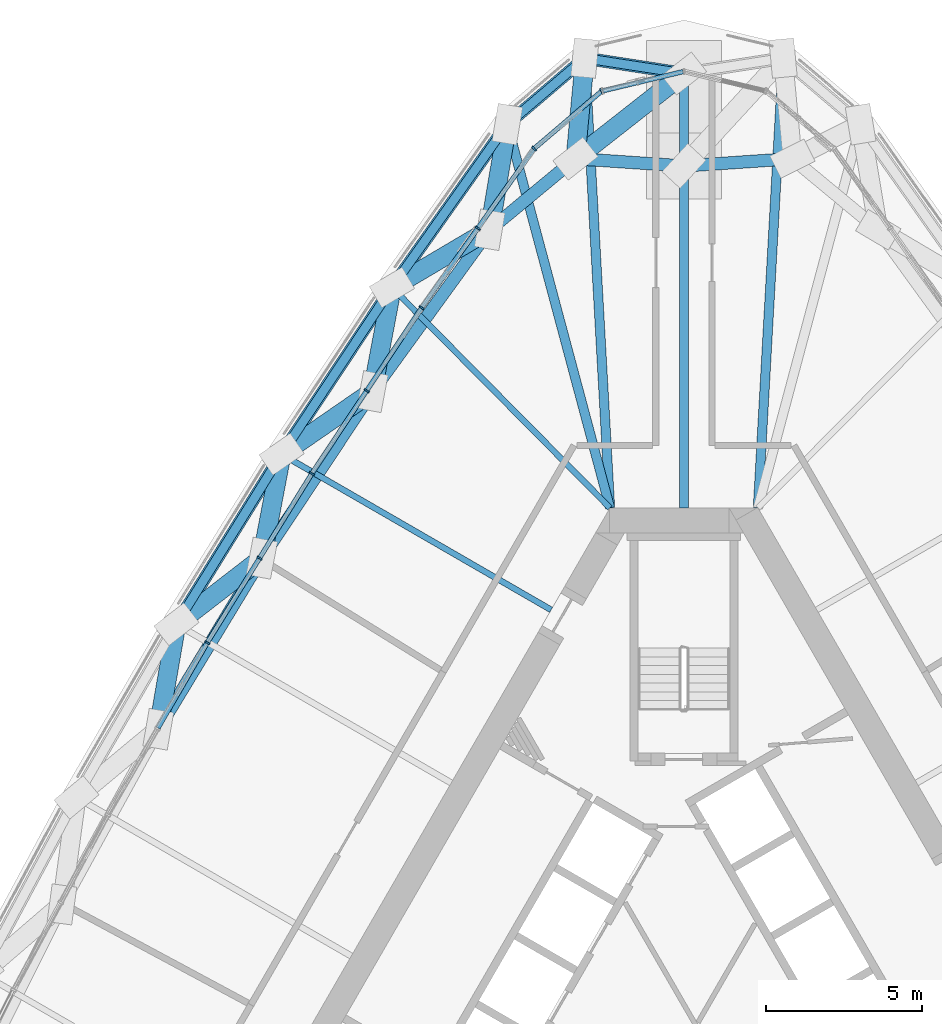
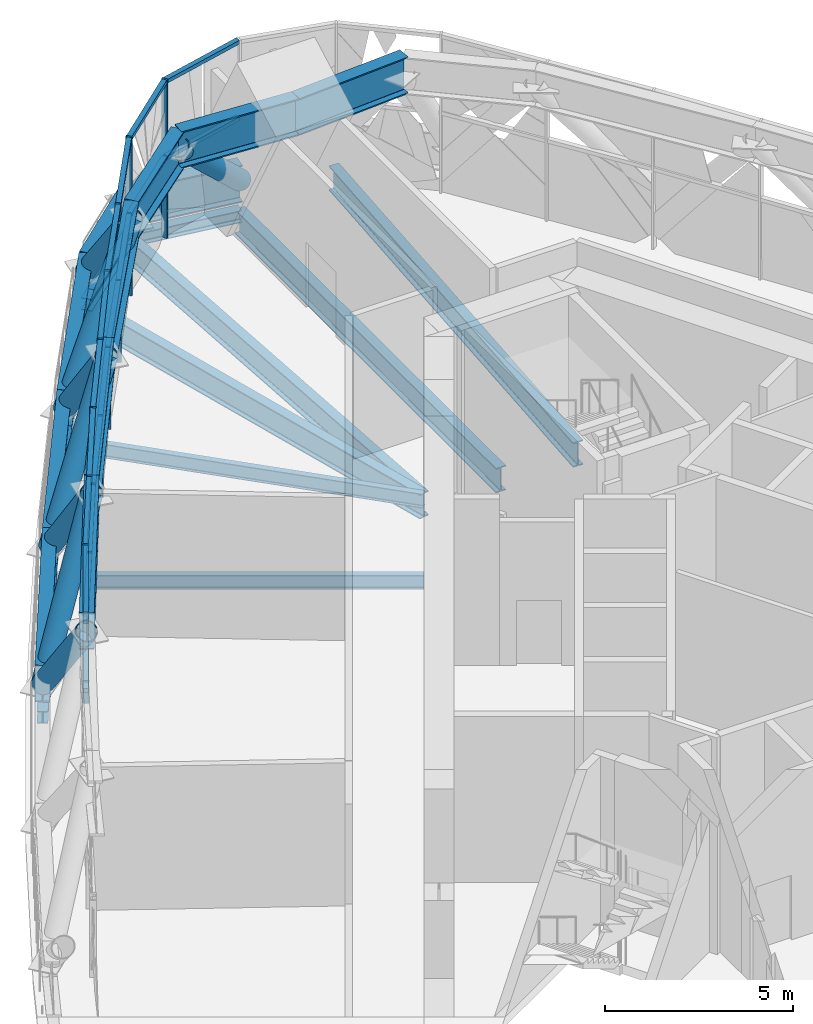
# One storey, part 8 of 35: 46 members, 11 beams, 2 elements without a shape of their own.
"""IFC4 building model written with IfcOpenShell, lengths in metres."""

from ifc_helpers import new_model, si_unit, direction, frame, origin, origin_2d, place, context, subcontext, project, spatial, rectangle, hollow_circle, i_section, extrude, material, material_profile, profile_set, type_object, element, aggregate, save


model = new_model("IFC4")

# Units and contexts
model_context = context("Model", 3, precision=1e-05, world=origin(), true_north=direction((0.0, 1.0)))
body_context = subcontext(model_context, "Body", "Model", "MODEL_VIEW")
ifc_project = project(units=[si_unit("LENGTHUNIT", "METRE"), si_unit("AREAUNIT", "SQUARE_METRE"), si_unit("VOLUMEUNIT", "CUBIC_METRE"), si_unit("PLANEANGLEUNIT", "RADIAN"), si_unit("MASSUNIT", "GRAM", prefix="KILO")], contexts=[model_context])

# Site, building, storey
site_placement = place(None, origin())
site = spatial("IfcSite", under=ifc_project, at=site_placement, CompositionType="ELEMENT")
building_placement = place(site_placement, origin())
building = spatial("IfcBuilding", under=site, at=building_placement, Name="Mestral Congress Tower", CompositionType="ELEMENT")
storey_placement = place(building_placement, frame((0.0, 0.0, 196.199951171875)))
storey = spatial("IfcBuildingStorey", under=building, at=storey_placement, Name="L46", CompositionType="ELEMENT", Elevation=196.199951171875)

# Members
ifc_material_1 = material(Name="Steel S355", Category="steel")
ifc_material_profile_1 = material_profile(ifc_material_1, i_section(OverallWidth=0.39990234375, OverallDepth=1.199951171875, WebThickness=0.02001953125, FlangeThickness=0.0400390625, FilletRadius=0.010009765625, at=origin_2d()), Name="WPG 1200")
ifc_profile_set_1 = profile_set([ifc_material_profile_1], Name="Steel S355")
member_type_1 = type_object("IfcMemberType", Name="Belt chord WPG 1200 S355", PredefinedType="CHORD", material=ifc_profile_set_1)
member_1_placement = place(storey_placement, frame((0.0, 30.7041015625, 0.60009765625), z_axis=(-0.98825089414, 0.152840342289, 0.0), x_axis=(-0.152840342289, -0.98825089414, 0.0)))
element("IfcMember", 1, at=member_1_placement, inside=storey, type_object=member_type_1, Name="MB-L46-BC3-N", PredefinedType="CHORD", context=body_context, shape_type="SweptSolid", body=[
    extrude(i_section(OverallWidth=0.39990234375, OverallDepth=1.199951171875, WebThickness=0.02001953125, FlangeThickness=0.0400390625, FilletRadius=0.010009765625, at=origin_2d()), origin(), (0.0, 0.0, 1.0), 3.208984375),
])
member_2_placement = place(storey_placement, frame((-3.17138671875, 31.194580078125, 0.60009765625), z_axis=(-0.761440312553, -0.648235027147, 0.0), x_axis=(0.648235027147, -0.761440312553, 0.0)))
element("IfcMember", 2, at=member_2_placement, inside=storey, type_object=member_type_1, Name="MB-L46-BC3-N3", PredefinedType="CHORD", context=body_context, shape_type="SweptSolid", body=[
    extrude(i_section(OverallWidth=0.39990234375, OverallDepth=1.199951171875, WebThickness=0.02001953125, FlangeThickness=0.0400390625, FilletRadius=0.010009765625, at=origin_2d()), origin(), (0.0, 0.0, 1.0), 3.2607421875),
])
for number, where, z_axis, x_axis, name in (
    (3, (-5.654296875, 29.080810546875, 0.60009765625), (-0.577102484984, -0.816671734435, 0.0), (0.816671734435, -0.577102484984, 0.0), "MB-L46-BC3-W00"),
    (4, (-9.34765625, 23.854248046875, 0.60009765625), (-0.551915276836, -0.833900190188, 0.0), (0.833900190188, -0.551915276836, 0.0), "MB-L46-BC3-W01"),
):
    element("IfcMember", number, at=place(storey_placement, frame(where, z_axis=z_axis, x_axis=x_axis)), inside=storey, type_object=member_type_1, Name=name, PredefinedType="CHORD", context=body_context, shape_type="SweptSolid", body=[
        extrude(i_section(OverallWidth=0.39990234375, OverallDepth=1.199951171875, WebThickness=0.02001953125, FlangeThickness=0.0400390625, FilletRadius=0.010009765625, at=origin_2d()), origin(), (0.0, 0.0, 1.0), 6.39990234375),
    ])
member_3_placement = place(storey_placement, frame((-12.8798828125, 18.517333984375, 0.60009765625), z_axis=(-0.52618387331, -0.850370819977, 0.0), x_axis=(0.850370819977, -0.52618387331, 0.0)))
element("IfcMember", 5, at=member_3_placement, inside=storey, type_object=member_type_1, Name="MB-L46-BC3-W02", PredefinedType="CHORD", context=body_context, shape_type="SweptSolid", body=[
    extrude(i_section(OverallWidth=0.39990234375, OverallDepth=1.199951171875, WebThickness=0.02001953125, FlangeThickness=0.0400390625, FilletRadius=0.010009765625, at=origin_2d()), origin(), (0.0, 0.0, 1.0), 6.399658203125),
])
for number, where, z_axis, x_axis, name in (
    (6, (3.47216796875, 27.97900390625, 4.550048828125), (-0.997724843222, -0.067417632846, 0.0), (0.067417632846, -0.997724843222, 0.0), "MB-L46-TC3-N1"),
    (7, (0.0, 27.744384765625, 4.550048828125), (-0.997724843222, 0.067417632846, 0.0), (-0.067417632846, -0.997724843222, 0.0), "MB-L46-TC3-N"),
):
    element("IfcMember", number, at=place(storey_placement, frame(where, z_axis=z_axis, x_axis=x_axis)), inside=storey, type_object=member_type_1, Name=name, PredefinedType="CHORD", context=body_context, shape_type="SweptSolid", body=[
        extrude(i_section(OverallWidth=0.39990234375, OverallDepth=1.199951171875, WebThickness=0.02001953125, FlangeThickness=0.0400390625, FilletRadius=0.010009765625, at=origin_2d()), origin(), (0.0, 0.0, 1.0), 3.47998046875),
    ])
member_4_placement = place(storey_placement, frame((-3.47216796875, 27.97900390625, 4.550048828125), z_axis=(-0.769974479924, -0.638074682358, 0.0), x_axis=(0.638074682358, -0.769974479924, 0.0)))
element("IfcMember", 8, at=member_4_placement, inside=storey, type_object=member_type_1, Name="MB-L46-TC3-N3", PredefinedType="CHORD", context=body_context, shape_type="SweptSolid", body=[
    extrude(i_section(OverallWidth=0.39990234375, OverallDepth=1.199951171875, WebThickness=0.02001953125, FlangeThickness=0.0400390625, FilletRadius=0.010009765625, at=origin_2d()), origin(), (0.0, 0.0, 1.0), 3.56689453125),
])
for number, where, z_axis, x_axis, name in (
    (9, (-6.218505859375, 25.703125, 4.550048828125), (-0.58698695142, -0.80959639257, 0.0), (0.80959639257, -0.58698695142, 0.0), "MB-L46-TC3-W00"),
    (10, (-9.974853515625, 20.522216796875, 4.550048828125), (-0.552911723663, -0.833239836923, 0.0), (0.833239836923, -0.552911723663, 0.0), "MB-L46-TC3-W01"),
):
    element("IfcMember", number, at=place(storey_placement, frame(where, z_axis=z_axis, x_axis=x_axis)), inside=storey, type_object=member_type_1, Name=name, PredefinedType="CHORD", context=body_context, shape_type="SweptSolid", body=[
        extrude(i_section(OverallWidth=0.39990234375, OverallDepth=1.199951171875, WebThickness=0.02001953125, FlangeThickness=0.0400390625, FilletRadius=0.010009765625, at=origin_2d()), origin(), (0.0, 0.0, 1.0), 6.3994140625),
    ])
member_5_placement = place(storey_placement, frame((-13.51318359375, 15.18994140625, 4.550048828125), z_axis=(-0.517874683363, -0.855456493535, 0.0), x_axis=(0.855456493535, -0.517874683363, 0.0)))
element("IfcMember", 11, at=member_5_placement, inside=storey, type_object=member_type_1, Name="MB-L46-TC3-W02", PredefinedType="CHORD", context=body_context, shape_type="SweptSolid", body=[
    extrude(i_section(OverallWidth=0.39990234375, OverallDepth=1.199951171875, WebThickness=0.02001953125, FlangeThickness=0.0400390625, FilletRadius=0.010009765625, at=origin_2d()), origin(), (0.0, 0.0, 1.0), 6.399658203125),
])
ifc_material_profile_2 = material_profile(ifc_material_1, hollow_circle(Radius=0.304931640625, WallThickness=0.02490234375, at=origin_2d()), Name="CHS 610x25")
ifc_profile_set_2 = profile_set([ifc_material_profile_2], Name="Steel S355")
member_type_2 = type_object("IfcMemberType", Name="Belt diagonal CHS 610x25 S355", PredefinedType="BRACE", material=ifc_profile_set_2)
member_6_placement = place(storey_placement, frame((0.0, 30.7041015625, 0.60009765625), z_axis=(-0.586198633565, -0.460072363089, 0.666861741839), x_axis=(0.617396411585, -0.786652191862, 0.0)))
element("IfcMember", 12, at=member_6_placement, inside=storey, type_object=member_type_2, Name="MD-L46-BD3-N.N3", PredefinedType="BRACE", context=body_context, shape_type="SweptSolid", body=[
    extrude(hollow_circle(Radius=0.304931640625, WallThickness=0.02490234375, at=origin_2d()), origin(), (0.0, 0.0, 1.0), 5.923095703125),
])
member_7_placement = place(storey_placement, frame((-3.17138671875, 31.194580078125, 0.60009765625), z_axis=(-0.05895120771, -0.630232432421, 0.774165251244), x_axis=(0.995653743164, -0.093132291518, 0.0)))
element("IfcMember", 13, at=member_7_placement, inside=storey, type_object=member_type_2, Name="MD-L46-BD3-N3.N3", PredefinedType="BRACE", context=body_context, shape_type="SweptSolid", body=[
    extrude(hollow_circle(Radius=0.304931640625, WallThickness=0.02490234375, at=origin_2d()), origin(), (0.0, 0.0, 1.0), 5.102294921875),
])
member_8_placement = place(storey_placement, frame((-5.654296875, 29.080810546875, 0.60009765625), z_axis=(-0.107926102258, -0.646108881326, 0.755576117888), x_axis=(0.986334127026, -0.164757366647, 0.0)))
element("IfcMember", 14, at=member_8_placement, inside=storey, type_object=member_type_2, Name="MD-L46-BD3-W00.W00", PredefinedType="BRACE", context=body_context, shape_type="SweptSolid", body=[
    extrude(hollow_circle(Radius=0.304931640625, WallThickness=0.02490234375, at=origin_2d()), origin(), (0.0, 0.0, 1.0), 5.227783203125),
])
member_9_placement = place(storey_placement, frame((-9.34765625, 23.854248046875, 0.60009765625), z_axis=(0.582960882048, 0.34444587343, 0.735876110686), x_axis=(-0.508695365577, 0.860946586636, 0.0)))
element("IfcMember", 15, at=member_9_placement, inside=storey, type_object=member_type_2, Name="MD-L46-BD3-W01.W00", PredefinedType="BRACE", context=body_context, shape_type="SweptSolid", body=[
    extrude(hollow_circle(Radius=0.304931640625, WallThickness=0.02490234375, at=origin_2d()), origin(), (0.0, 0.0, 1.0), 5.36767578125),
])
member_10_placement = place(storey_placement, frame((-9.34765625, 23.854248046875, 0.60009765625), z_axis=(-0.12048588021, -0.640090032351, 0.758793715812), x_axis=(0.98274151434, -0.184984096596, 0.0)))
element("IfcMember", 16, at=member_10_placement, inside=storey, type_object=member_type_2, Name="MD-L46-BD3-W01.W01", PredefinedType="BRACE", context=body_context, shape_type="SweptSolid", body=[
    extrude(hollow_circle(Radius=0.304931640625, WallThickness=0.02490234375, at=origin_2d()), origin(), (0.0, 0.0, 1.0), 5.20556640625),
])
member_11_placement = place(storey_placement, frame((-12.8798828125, 18.517333984375, 0.60009765625), z_axis=(0.54840321568, 0.378476107838, 0.745660612362), x_axis=(-0.568004467728, 0.823025470226, 0.0)))
element("IfcMember", 17, at=member_11_placement, inside=storey, type_object=member_type_2, Name="MD-L46-BD3-W02.W01", PredefinedType="BRACE", context=body_context, shape_type="SweptSolid", body=[
    extrude(hollow_circle(Radius=0.304931640625, WallThickness=0.02490234375, at=origin_2d()), origin(), (0.0, 0.0, 1.0), 5.29736328125),
])
member_12_placement = place(storey_placement, frame((-12.8798828125, 18.517333984375, 0.60009765625), z_axis=(-0.121710484885, -0.639472705664, 0.759118710466), x_axis=(0.982365053895, -0.18697299507, 0.0)))
element("IfcMember", 18, at=member_12_placement, inside=storey, type_object=member_type_2, Name="MD-L46-BD3-W02.W02", PredefinedType="BRACE", context=body_context, shape_type="SweptSolid", body=[
    extrude(hollow_circle(Radius=0.304931640625, WallThickness=0.02490234375, at=origin_2d()), origin(), (0.0, 0.0, 1.0), 5.203369140625),
])
member_13_placement = place(storey_placement, frame((-16.247314453125, 13.0751953125, 0.60009765625), z_axis=(0.52090745051, 0.402902074856, 0.752545909616), x_axis=(-0.611811285335, 0.791003761772, 0.0)))
element("IfcMember", 19, at=member_13_placement, inside=storey, type_object=member_type_2, Name="MD-L46-BD3-W03.W02", PredefinedType="BRACE", context=body_context, shape_type="SweptSolid", body=[
    extrude(hollow_circle(Radius=0.304931640625, WallThickness=0.02490234375, at=origin_2d()), origin(), (0.0, 0.0, 1.0), 5.248779296875),
])
member_14_placement = place(storey_placement, frame((-16.247314453125, 13.0751953125, 0.60009765625), z_axis=(-0.111169156495, -0.643901486397, 0.756988965878), x_axis=(0.985421228399, -0.170132309161, 0.0)))
element("IfcMember", 20, at=member_14_placement, inside=storey, type_object=member_type_2, Name="MD-L46-BD3-W03.W03", PredefinedType="BRACE", context=body_context, shape_type="SweptSolid", body=[
    extrude(hollow_circle(Radius=0.304931640625, WallThickness=0.02490234375, at=origin_2d()), origin(), (0.0, 0.0, 1.0), 5.218017578125),
])

# Curtain wall, members
ifc_material_2 = material(Name="Clear low-emissivity double glazing", Category="glass")
curtain_wall_type = type_object("IfcCurtainWallType", Name="Facade refuge band screen", PredefinedType="USERDEFINED", material=ifc_material_2)
placement = place(storey_placement, origin())
curtain_wall_1 = element("IfcCurtainWall", 21, at=placement, inside=storey, type_object=curtain_wall_type, Name="Facade refuge band screen face 3", ObjectType="CURTAIN WALL", PredefinedType="USERDEFINED")
ifc_material_3 = material(Name="Anodised aluminium", Category="aluminium")
ifc_material_profile_3 = material_profile(ifc_material_3, rectangle(XDim=0.179931640625, YDim=0.06005859375, at=origin_2d()), Name="CW3 mullion 180 x 60")
ifc_profile_set_3 = profile_set([ifc_material_profile_3], Name="Anodised aluminium")
member_type_3 = type_object("IfcMemberType", Name="Facade refuge band screen mullion", PredefinedType="MULLION", material=ifc_profile_set_3)
member_15_placement = place(storey_placement, frame((-6.5986328125, 25.751708984375, 0.0), z_axis=(0.0, 0.0, 1.0), x_axis=(-0.816673787756, 0.577099579268, 0.0)))
member_15 = element("IfcMember", 22, at=member_15_placement, type_object=member_type_3, Name="Facade refuge band screen mullion", PredefinedType="MULLION", context=body_context, shape_type="SweptSolid", body=[
    extrude(rectangle(XDim=0.179931640625, YDim=0.06005859375, at=origin_2d()), origin(), (0.0, 0.0, 1.0), 5.150146484375),
])
member_16_placement = place(storey_placement, frame((-8.3984375, 23.204833984375, 0.0), z_axis=(0.0, 0.0, 1.0), x_axis=(-0.825386538643, 0.564568031177, 0.0)))
member_16 = element("IfcMember", 23, at=member_16_placement, type_object=member_type_3, Name="Facade refuge band screen mullion", PredefinedType="MULLION", context=body_context, shape_type="SweptSolid", body=[
    extrude(rectangle(XDim=0.179931640625, YDim=0.06005859375, at=origin_2d()), origin(), (0.0, 0.0, 1.0), 5.150146484375),
])
member_17_placement = place(storey_placement, frame((-10.15478515625, 20.551025390625, 0.0), z_axis=(0.0, 0.0, 1.0), x_axis=(-0.833906051054, 0.55190642143, 0.0)))
member_17 = element("IfcMember", 24, at=member_17_placement, type_object=member_type_3, Name="Facade refuge band screen mullion", PredefinedType="MULLION", context=body_context, shape_type="SweptSolid", body=[
    extrude(rectangle(XDim=0.179931640625, YDim=0.06005859375, at=origin_2d()), origin(), (0.0, 0.0, 1.0), 5.150146484375),
])
member_18_placement = place(storey_placement, frame((-11.9111328125, 17.897216796875, 0.0), z_axis=(0.0, 0.0, 1.0), x_axis=(-0.84223228897, 0.539114803559, 0.0)))
member_18 = element("IfcMember", 25, at=member_18_placement, type_object=member_type_3, Name="Facade refuge band screen mullion", PredefinedType="MULLION", context=body_context, shape_type="SweptSolid", body=[
    extrude(rectangle(XDim=0.179931640625, YDim=0.06005859375, at=origin_2d()), origin(), (0.0, 0.0, 1.0), 5.150146484375),
])
member_19_placement = place(storey_placement, frame((-13.585693359375, 15.191162109375, 0.0), z_axis=(0.0, 0.0, 1.0), x_axis=(-0.850362327421, 0.526197597964, 0.0)))
member_19 = element("IfcMember", 26, at=member_19_placement, type_object=member_type_3, Name="Facade refuge band screen mullion", PredefinedType="MULLION", context=body_context, shape_type="SweptSolid", body=[
    extrude(rectangle(XDim=0.179931640625, YDim=0.06005859375, at=origin_2d()), origin(), (0.0, 0.0, 1.0), 5.150146484375),
])
member_20_placement = place(storey_placement, frame((-15.260009765625, 12.485107421875, 0.0), z_axis=(0.0, 0.0, 1.0), x_axis=(-0.85829337687, 0.513159311736, 0.0)))
member_20 = element("IfcMember", 27, at=member_20_placement, type_object=member_type_3, Name="Facade refuge band screen mullion", PredefinedType="MULLION", context=body_context, shape_type="SweptSolid", body=[
    extrude(rectangle(XDim=0.179931640625, YDim=0.06005859375, at=origin_2d()), origin(), (0.0, 0.0, 1.0), 5.150146484375),
])

curtain_wall_2 = element("IfcCurtainWall", 28, at=placement, inside=storey, type_object=curtain_wall_type, Name="Facade refuge band screen corner 2", ObjectType="CURTAIN WALL", PredefinedType="USERDEFINED")
member_21_placement = place(storey_placement, frame((-2.635498046875, 30.140380859375, 0.0), z_axis=(0.0, 0.0, 1.0), x_axis=(-0.453047855535, 0.891486197647, 0.0)))
member_21 = element("IfcMember", 29, at=member_21_placement, type_object=member_type_3, Name="Facade refuge band screen mullion", PredefinedType="MULLION", context=body_context, shape_type="SweptSolid", body=[
    extrude(rectangle(XDim=0.179931640625, YDim=0.06005859375, at=origin_2d()), origin(), (0.0, 0.0, 1.0), 5.150146484375),
])
member_22_placement = place(storey_placement, frame((-4.798583984375, 28.298828125, 0.0), z_axis=(0.0, 0.0, 1.0), x_axis=(-0.648240844181, 0.761435360314, 0.0)))
member_22 = element("IfcMember", 30, at=member_22_placement, type_object=member_type_3, Name="Facade refuge band screen mullion", PredefinedType="MULLION", context=body_context, shape_type="SweptSolid", body=[
    extrude(rectangle(XDim=0.179931640625, YDim=0.06005859375, at=origin_2d()), origin(), (0.0, 0.0, 1.0), 5.150146484375),
])

# Member
ifc_material_profile_4 = material_profile(ifc_material_3, rectangle(XDim=0.14990234375, YDim=0.1201171875, at=origin_2d()), Name="CW3 transom 150 x 120")
ifc_profile_set_4 = profile_set([ifc_material_profile_4], Name="Anodised aluminium")
member_type_4 = type_object("IfcMemberType", Name="Facade refuge band screen transom", PredefinedType="USERDEFINED", material=ifc_profile_set_4)
member_23_placement = place(storey_placement, frame((-4.81591796875, 28.2744140625, 2.60009765625), z_axis=(-0.577131209117, -0.81665143572, 0.0), x_axis=(0.81665143572, -0.577131209117, 0.0)))
member_23 = element("IfcMember", 31, at=member_23_placement, type_object=member_type_4, Name="Facade refuge band screen transom", ObjectType="TRANSOM", PredefinedType="USERDEFINED", context=body_context, shape_type="SweptSolid", body=[
    extrude(rectangle(XDim=0.14990234375, YDim=0.1201171875, at=origin_2d()), origin(), (0.0, 0.0, 1.0), 3.058837890625),
])

member_24_placement = place(storey_placement, frame((-4.81591796875, 28.2744140625, 5.090087890625), z_axis=(-0.577131209117, -0.81665143572, 0.0), x_axis=(0.81665143572, -0.577131209117, 0.0)))
member_24 = element("IfcMember", 32, at=member_24_placement, type_object=member_type_4, Name="Facade refuge band screen transom", ObjectType="TRANSOM", PredefinedType="USERDEFINED", context=body_context, shape_type="SweptSolid", body=[
    extrude(rectangle(XDim=0.14990234375, YDim=0.1201171875, at=origin_2d()), origin(), (0.0, 0.0, 1.0), 3.058837890625),
])

member_25_placement = place(storey_placement, frame((-6.615966796875, 25.727294921875, 2.60009765625), z_axis=(-0.577077976274, -0.816689053006, 0.0), x_axis=(0.816689053006, -0.577077976274, 0.0)))
member_25 = element("IfcMember", 33, at=member_25_placement, type_object=member_type_4, Name="Facade refuge band screen transom", ObjectType="TRANSOM", PredefinedType="USERDEFINED", context=body_context, shape_type="SweptSolid", body=[
    extrude(rectangle(XDim=0.14990234375, YDim=0.1201171875, at=origin_2d()), origin(), (0.0, 0.0, 1.0), 3.058837890625),
])

member_26_placement = place(storey_placement, frame((-6.615966796875, 25.727294921875, 5.090087890625), z_axis=(-0.577077976274, -0.816689053006, 0.0), x_axis=(0.816689053006, -0.577077976274, 0.0)))
member_26 = element("IfcMember", 34, at=member_26_placement, type_object=member_type_4, Name="Facade refuge band screen transom", ObjectType="TRANSOM", PredefinedType="USERDEFINED", context=body_context, shape_type="SweptSolid", body=[
    extrude(rectangle(XDim=0.14990234375, YDim=0.1201171875, at=origin_2d()), origin(), (0.0, 0.0, 1.0), 3.058837890625),
])

member_27_placement = place(storey_placement, frame((-8.414794921875, 23.1796875, 2.60009765625), z_axis=(-0.551972456756, -0.833862342945, 0.0), x_axis=(0.833862342945, -0.551972456756, 0.0)))
member_27 = element("IfcMember", 35, at=member_27_placement, type_object=member_type_4, Name="Facade refuge band screen transom", ObjectType="TRANSOM", PredefinedType="USERDEFINED", context=body_context, shape_type="SweptSolid", body=[
    extrude(rectangle(XDim=0.14990234375, YDim=0.1201171875, at=origin_2d()), origin(), (0.0, 0.0, 1.0), 3.122314453125),
])

member_28_placement = place(storey_placement, frame((-8.414794921875, 23.1796875, 5.090087890625), z_axis=(-0.551972456756, -0.833862342945, 0.0), x_axis=(0.833862342945, -0.551972456756, 0.0)))
member_28 = element("IfcMember", 36, at=member_28_placement, type_object=member_type_4, Name="Facade refuge band screen transom", ObjectType="TRANSOM", PredefinedType="USERDEFINED", context=body_context, shape_type="SweptSolid", body=[
    extrude(rectangle(XDim=0.14990234375, YDim=0.1201171875, at=origin_2d()), origin(), (0.0, 0.0, 1.0), 3.122314453125),
])

member_29_placement = place(storey_placement, frame((-10.17138671875, 20.526123046875, 2.60009765625), z_axis=(-0.551882094712, -0.833922150765, 0.0), x_axis=(0.833922150765, -0.551882094712, 0.0)))
member_29 = element("IfcMember", 37, at=member_29_placement, type_object=member_type_4, Name="Facade refuge band screen transom", ObjectType="TRANSOM", PredefinedType="USERDEFINED", context=body_context, shape_type="SweptSolid", body=[
    extrude(rectangle(XDim=0.14990234375, YDim=0.1201171875, at=origin_2d()), origin(), (0.0, 0.0, 1.0), 3.122314453125),
])

member_30_placement = place(storey_placement, frame((-10.17138671875, 20.526123046875, 5.090087890625), z_axis=(-0.551882094712, -0.833922150765, 0.0), x_axis=(0.833922150765, -0.551882094712, 0.0)))
member_30 = element("IfcMember", 38, at=member_30_placement, type_object=member_type_4, Name="Facade refuge band screen transom", ObjectType="TRANSOM", PredefinedType="USERDEFINED", context=body_context, shape_type="SweptSolid", body=[
    extrude(rectangle(XDim=0.14990234375, YDim=0.1201171875, at=origin_2d()), origin(), (0.0, 0.0, 1.0), 3.122314453125),
])

member_31_placement = place(storey_placement, frame((-11.927001953125, 17.871826171875, 2.60009765625), z_axis=(-0.526176932892, -0.85037511446, 0.0), x_axis=(0.85037511446, -0.526176932892, 0.0)))
member_31 = element("IfcMember", 39, at=member_31_placement, type_object=member_type_4, Name="Facade refuge band screen transom", ObjectType="TRANSOM", PredefinedType="USERDEFINED", context=body_context, shape_type="SweptSolid", body=[
    extrude(rectangle(XDim=0.14990234375, YDim=0.1201171875, at=origin_2d()), origin(), (0.0, 0.0, 1.0), 3.1220703125),
])

member_32_placement = place(storey_placement, frame((-11.927001953125, 17.871826171875, 5.090087890625), z_axis=(-0.526176932892, -0.85037511446, 0.0), x_axis=(0.85037511446, -0.526176932892, 0.0)))
member_32 = element("IfcMember", 40, at=member_32_placement, type_object=member_type_4, Name="Facade refuge band screen transom", ObjectType="TRANSOM", PredefinedType="USERDEFINED", context=body_context, shape_type="SweptSolid", body=[
    extrude(rectangle(XDim=0.14990234375, YDim=0.1201171875, at=origin_2d()), origin(), (0.0, 0.0, 1.0), 3.1220703125),
])

member_33_placement = place(storey_placement, frame((-13.601318359375, 15.165771484375, 2.60009765625), z_axis=(-0.526198488101, -0.85036177661, 0.0), x_axis=(0.85036177661, -0.526198488101, 0.0)))
member_33 = element("IfcMember", 41, at=member_33_placement, type_object=member_type_4, Name="Facade refuge band screen transom", ObjectType="TRANSOM", PredefinedType="USERDEFINED", context=body_context, shape_type="SweptSolid", body=[
    extrude(rectangle(XDim=0.14990234375, YDim=0.1201171875, at=origin_2d()), origin(), (0.0, 0.0, 1.0), 3.12255859375),
])

member_34_placement = place(storey_placement, frame((-13.601318359375, 15.165771484375, 5.090087890625), z_axis=(-0.526198488101, -0.85036177661, 0.0), x_axis=(0.85036177661, -0.526198488101, 0.0)))
member_34 = element("IfcMember", 42, at=member_34_placement, type_object=member_type_4, Name="Facade refuge band screen transom", ObjectType="TRANSOM", PredefinedType="USERDEFINED", context=body_context, shape_type="SweptSolid", body=[
    extrude(rectangle(XDim=0.14990234375, YDim=0.1201171875, at=origin_2d()), origin(), (0.0, 0.0, 1.0), 3.12255859375),
])

member_35_placement = place(storey_placement, frame((-15.275146484375, 12.458984375, 2.60009765625), z_axis=(-0.499990954667, -0.866030626047, 0.0), x_axis=(0.866030626047, -0.499990954667, 0.0)))
member_35 = element("IfcMember", 43, at=member_35_placement, type_object=member_type_4, Name="Facade refuge band screen transom", ObjectType="TRANSOM", PredefinedType="USERDEFINED", context=body_context, shape_type="SweptSolid", body=[
    extrude(rectangle(XDim=0.14990234375, YDim=0.1201171875, at=origin_2d()), origin(), (0.0, 0.0, 1.0), 3.1220703125),
])

member_36_placement = place(storey_placement, frame((-15.275146484375, 12.458984375, 5.090087890625), z_axis=(-0.499990954667, -0.866030626047, 0.0), x_axis=(0.866030626047, -0.499990954667, 0.0)))
member_36 = element("IfcMember", 44, at=member_36_placement, type_object=member_type_4, Name="Facade refuge band screen transom", ObjectType="TRANSOM", PredefinedType="USERDEFINED", context=body_context, shape_type="SweptSolid", body=[
    extrude(rectangle(XDim=0.14990234375, YDim=0.1201171875, at=origin_2d()), origin(), (0.0, 0.0, 1.0), 3.1220703125),
])

aggregate(curtain_wall_1, [member_15, member_16, member_17, member_18, member_19, member_20, member_23, member_24, member_25, member_26, member_27, member_28, member_29, member_30, member_31, member_32, member_33, member_34, member_35, member_36])

member_37_placement = place(storey_placement, frame((-0.029296875, 30.7646484375, 2.60009765625), z_axis=(-0.972500917637, -0.232899045073, 0.0), x_axis=(0.232899045073, -0.972500917637, 0.0)))
member_37 = element("IfcMember", 45, at=member_37_placement, type_object=member_type_4, Name="Facade refuge band screen transom", ObjectType="TRANSOM", PredefinedType="USERDEFINED", context=body_context, shape_type="SweptSolid", body=[
    extrude(rectangle(XDim=0.14990234375, YDim=0.1201171875, at=origin_2d()), origin(), (0.0, 0.0, 1.0), 2.64990234375),
])

member_38_placement = place(storey_placement, frame((-0.029296875, 30.7646484375, 5.090087890625), z_axis=(-0.972500917637, -0.232899045073, 0.0), x_axis=(0.232899045073, -0.972500917637, 0.0)))
member_38 = element("IfcMember", 46, at=member_38_placement, type_object=member_type_4, Name="Facade refuge band screen transom", ObjectType="TRANSOM", PredefinedType="USERDEFINED", context=body_context, shape_type="SweptSolid", body=[
    extrude(rectangle(XDim=0.14990234375, YDim=0.1201171875, at=origin_2d()), origin(), (0.0, 0.0, 1.0), 2.64990234375),
])

member_39_placement = place(storey_placement, frame((-2.658447265625, 30.12109375, 2.60009765625), z_axis=(-0.761421368188, -0.648257279223, 0.0), x_axis=(0.648257279223, -0.761421368188, 0.0)))
member_39 = element("IfcMember", 47, at=member_39_placement, type_object=member_type_4, Name="Facade refuge band screen transom", ObjectType="TRANSOM", PredefinedType="USERDEFINED", context=body_context, shape_type="SweptSolid", body=[
    extrude(rectangle(XDim=0.14990234375, YDim=0.1201171875, at=origin_2d()), origin(), (0.0, 0.0, 1.0), 2.781005859375),
])

member_40_placement = place(storey_placement, frame((-2.658447265625, 30.12109375, 5.090087890625), z_axis=(-0.761421368188, -0.648257279223, 0.0), x_axis=(0.648257279223, -0.761421368188, 0.0)))
member_40 = element("IfcMember", 48, at=member_40_placement, type_object=member_type_4, Name="Facade refuge band screen transom", ObjectType="TRANSOM", PredefinedType="USERDEFINED", context=body_context, shape_type="SweptSolid", body=[
    extrude(rectangle(XDim=0.14990234375, YDim=0.1201171875, at=origin_2d()), origin(), (0.0, 0.0, 1.0), 2.781005859375),
])

aggregate(curtain_wall_2, [member_21, member_22, member_37, member_38, member_39, member_40])

# Beams
ifc_material_profile_5 = material_profile(ifc_material_1, i_section(OverallWidth=0.300048828125, OverallDepth=0.800048828125, WebThickness=0.017578125, FlangeThickness=0.032958984375, FilletRadius=0.030029296875, at=origin_2d()), Name="HEB 800")
ifc_profile_set_5 = profile_set([ifc_material_profile_5], Name="Steel S355")
beam_type_1 = type_object("IfcBeamType", Name="Floor beam HEB 800 S355", PredefinedType="BEAM", material=ifc_profile_set_5)
beam_1_placement = place(storey_placement, frame((3.17138671875, 31.194580078125, -0.699951171875), z_axis=(-0.055781398587, -0.99844300567, 0.0), x_axis=(0.99844300567, -0.055781398587, 0.0)))
element("IfcBeam", 49, at=beam_1_placement, inside=storey, type_object=beam_type_1, Name="BM-L46-RB3-N1", PredefinedType="BEAM", context=body_context, shape_type="SweptSolid", body=[
    extrude(i_section(OverallWidth=0.300048828125, OverallDepth=0.800048828125, WebThickness=0.017578125, FlangeThickness=0.032958984375, FilletRadius=0.030029296875, at=origin_2d()), origin(), (0.0, 0.0, 1.0), 14.4169921875),
])
beam_2_placement = place(storey_placement, frame((0.0, 30.7041015625, -0.699951171875), z_axis=(0.0, -1.0, 0.0), x_axis=(1.0, 0.0, 0.0)))
element("IfcBeam", 50, at=beam_2_placement, inside=storey, type_object=beam_type_1, Name="BM-L46-RB3-N", PredefinedType="BEAM", context=body_context, shape_type="SweptSolid", body=[
    extrude(i_section(OverallWidth=0.300048828125, OverallDepth=0.800048828125, WebThickness=0.017578125, FlangeThickness=0.032958984375, FilletRadius=0.030029296875, at=origin_2d()), origin(), (0.0, 0.0, 1.0), 13.904052734375),
])
beam_3_placement = place(storey_placement, frame((-3.17138671875, 31.194580078125, -0.699951171875), z_axis=(0.055781398587, -0.99844300567, 0.0), x_axis=(0.99844300567, 0.055781398587, 0.0)))
element("IfcBeam", 51, at=beam_3_placement, inside=storey, type_object=beam_type_1, Name="BM-L46-RB3-N3", PredefinedType="BEAM", context=body_context, shape_type="SweptSolid", body=[
    extrude(i_section(OverallWidth=0.300048828125, OverallDepth=0.800048828125, WebThickness=0.017578125, FlangeThickness=0.032958984375, FilletRadius=0.030029296875, at=origin_2d()), origin(), (0.0, 0.0, 1.0), 14.4169921875),
])
beam_4_placement = place(storey_placement, frame((-5.654296875, 29.080810546875, -0.699951171875), z_axis=(0.258561377452, -0.965994831296, 0.0), x_axis=(0.965994831296, 0.258561377452, 0.0)))
element("IfcBeam", 52, at=beam_4_placement, inside=storey, type_object=beam_type_1, Name="BM-L46-RB3-W00", PredefinedType="BEAM", context=body_context, shape_type="SweptSolid", body=[
    extrude(i_section(OverallWidth=0.300048828125, OverallDepth=0.800048828125, WebThickness=0.017578125, FlangeThickness=0.032958984375, FilletRadius=0.030029296875, at=origin_2d()), origin(), (0.0, 0.0, 1.0), 12.713134765625),
])
ifc_material_profile_6 = material_profile(ifc_material_1, i_section(OverallWidth=0.18994140625, OverallDepth=0.449951171875, WebThickness=0.009521484375, FlangeThickness=0.0146484375, FilletRadius=0.02099609375, at=origin_2d()), Name="IPE 450")
ifc_profile_set_6 = profile_set([ifc_material_profile_6], Name="Steel S355")
beam_type_2 = type_object("IfcBeamType", Name="Floor beam IPE 450 S355", PredefinedType="BEAM", material=ifc_profile_set_6)
beam_5_placement = place(storey_placement, frame((-9.34765625, 23.854248046875, -0.52490234375), z_axis=(0.703382322759, -0.710811724741, 0.0), x_axis=(0.710811724741, 0.703382322759, 0.0)))
element("IfcBeam", 53, at=beam_5_placement, inside=storey, type_object=beam_type_2, Name="BM-L46-RB3-W01", PredefinedType="BEAM", context=body_context, shape_type="SweptSolid", body=[
    extrude(i_section(OverallWidth=0.18994140625, OverallDepth=0.449951171875, WebThickness=0.009521484375, FlangeThickness=0.0146484375, FilletRadius=0.02099609375, at=origin_2d()), origin(), (0.0, 0.0, 1.0), 9.924072265625),
])
beam_6_placement = place(storey_placement, frame((-12.8798828125, 18.517333984375, -0.52490234375), z_axis=(0.866026845417, -0.49999750301, 0.0), x_axis=(0.49999750301, 0.866026845417, 0.0)))
element("IfcBeam", 54, at=beam_6_placement, inside=storey, type_object=beam_type_2, Name="BM-L46-RB3-W02", PredefinedType="BEAM", context=body_context, shape_type="SweptSolid", body=[
    extrude(i_section(OverallWidth=0.18994140625, OverallDepth=0.449951171875, WebThickness=0.009521484375, FlangeThickness=0.0146484375, FilletRadius=0.02099609375, at=origin_2d()), origin(), (0.0, 0.0, 1.0), 9.962890625),
])
ifc_material_profile_7 = material_profile(ifc_material_1, i_section(OverallWidth=0.300048828125, OverallDepth=0.389892578125, WebThickness=0.010986328125, FlangeThickness=0.01904296875, FilletRadius=0.027099609375, at=origin_2d()), Name="HEA 400")
ifc_profile_set_7 = profile_set([ifc_material_profile_7], Name="Steel S355")
beam_type_3 = type_object("IfcBeamType", Name="Spandrel beam HEA 400 S355", PredefinedType="BEAM", material=ifc_profile_set_7)
beam_7_placement = place(storey_placement, frame((0.0, 30.7041015625, -0.494873046875), z_axis=(-0.98825089414, 0.152840342289, 0.0), x_axis=(-0.152840342289, -0.98825089414, 0.0)))
element("IfcBeam", 55, at=beam_7_placement, inside=storey, type_object=beam_type_3, Name="SP-L46-SB3-N", PredefinedType="BEAM", context=body_context, shape_type="SweptSolid", body=[
    extrude(i_section(OverallWidth=0.300048828125, OverallDepth=0.389892578125, WebThickness=0.010986328125, FlangeThickness=0.01904296875, FilletRadius=0.027099609375, at=origin_2d()), origin(), (0.0, 0.0, 1.0), 3.208984375),
])
beam_8_placement = place(storey_placement, frame((-3.17138671875, 31.194580078125, -0.494873046875), z_axis=(-0.761440312553, -0.648235027147, 0.0), x_axis=(0.648235027147, -0.761440312553, 0.0)))
element("IfcBeam", 56, at=beam_8_placement, inside=storey, type_object=beam_type_3, Name="SP-L46-SB3-N3", PredefinedType="BEAM", context=body_context, shape_type="SweptSolid", body=[
    extrude(i_section(OverallWidth=0.300048828125, OverallDepth=0.389892578125, WebThickness=0.010986328125, FlangeThickness=0.01904296875, FilletRadius=0.027099609375, at=origin_2d()), origin(), (0.0, 0.0, 1.0), 3.2607421875),
])
for number, where, z_axis, x_axis, name in (
    (57, (-5.654296875, 29.080810546875, -0.494873046875), (-0.577102484984, -0.816671734435, 0.0), (0.816671734435, -0.577102484984, 0.0), "SP-L46-SB3-W00"),
    (58, (-9.34765625, 23.854248046875, -0.494873046875), (-0.551915276836, -0.833900190188, 0.0), (0.833900190188, -0.551915276836, 0.0), "SP-L46-SB3-W01"),
):
    element("IfcBeam", number, at=place(storey_placement, frame(where, z_axis=z_axis, x_axis=x_axis)), inside=storey, type_object=beam_type_3, Name=name, PredefinedType="BEAM", context=body_context, shape_type="SweptSolid", body=[
        extrude(i_section(OverallWidth=0.300048828125, OverallDepth=0.389892578125, WebThickness=0.010986328125, FlangeThickness=0.01904296875, FilletRadius=0.027099609375, at=origin_2d()), origin(), (0.0, 0.0, 1.0), 6.39990234375),
    ])
beam_9_placement = place(storey_placement, frame((-12.8798828125, 18.517333984375, -0.494873046875), z_axis=(-0.52618387331, -0.850370819977, 0.0), x_axis=(0.850370819977, -0.52618387331, 0.0)))
element("IfcBeam", 59, at=beam_9_placement, inside=storey, type_object=beam_type_3, Name="SP-L46-SB3-W02", PredefinedType="BEAM", context=body_context, shape_type="SweptSolid", body=[
    extrude(i_section(OverallWidth=0.300048828125, OverallDepth=0.389892578125, WebThickness=0.010986328125, FlangeThickness=0.01904296875, FilletRadius=0.027099609375, at=origin_2d()), origin(), (0.0, 0.0, 1.0), 6.399658203125),
])

save(model, "model.ifc")
